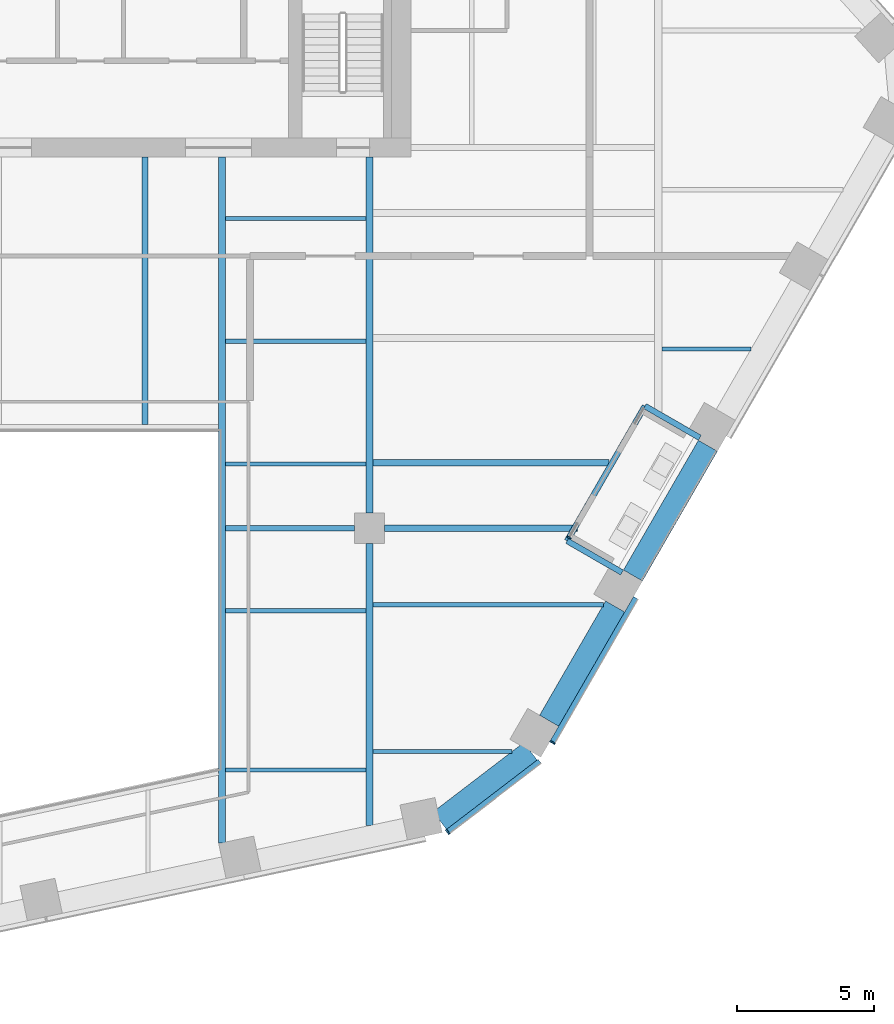
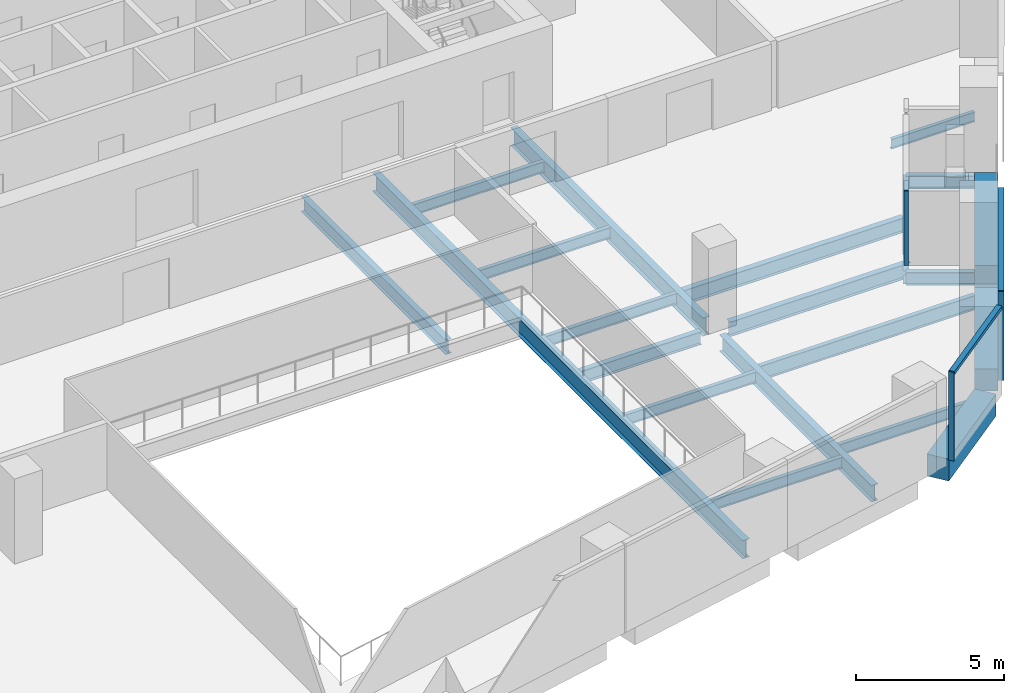
# One storey, part 5 of 25: 21 beams, 5 members, 3 elements without a shape of their own.
"""IFC4 building model written with IfcOpenShell, lengths in metres."""

from ifc_helpers import new_model, si_unit, direction, frame, origin, origin_2d, place, context, subcontext, project, spatial, rectangle, i_section, extrude, material, layer, layer_set, material_profile, profile_set, type_object, element, aggregate, save


model = new_model("IFC4")

# Units and contexts
model_context = context("Model", 3, precision=1e-05, world=origin(), true_north=direction((0.0, 1.0)))
body_context = subcontext(model_context, "Body", "Model", "MODEL_VIEW")
ifc_project = project(units=[si_unit("LENGTHUNIT", "METRE"), si_unit("AREAUNIT", "SQUARE_METRE"), si_unit("VOLUMEUNIT", "CUBIC_METRE"), si_unit("PLANEANGLEUNIT", "RADIAN"), si_unit("MASSUNIT", "GRAM", prefix="KILO")], contexts=[model_context])

# Site, building, storey
site_placement = place(None, origin())
site = spatial("IfcSite", under=ifc_project, at=site_placement, CompositionType="ELEMENT")
building_placement = place(site_placement, origin())
building = spatial("IfcBuilding", under=site, at=building_placement, Name="Isthmus Gate Tower", CompositionType="ELEMENT")
storey_placement = place(building_placement, frame((0.0, 0.0, 174.449951171875)))
storey = spatial("IfcBuildingStorey", under=building, at=storey_placement, Name="L43", CompositionType="ELEMENT", Elevation=174.449951171875)

# Curtain wall, member
ifc_material_1 = material(Name="Aluminium, pale champagne anodised", Category="aluminium")
ifc_layer_1 = layer(ifc_material_1, 0.199951171875)
ifc_layer_set_1 = layer_set([ifc_layer_1], Name="CW-1 UNITISED CURTAIN WALL 200 DEEP")
curtain_wall_type_1 = type_object("IfcCurtainWallType", Name="CW-1 UNITISED CURTAIN WALL 200 DEEP", PredefinedType="NOTDEFINED", material=ifc_layer_set_1)
curtain_wall_1_placement = place(storey_placement, origin())
curtain_wall_1 = element("IfcCurtainWall", 1, at=curtain_wall_1_placement, inside=storey, type_object=curtain_wall_type_1, Name="CW-1 S-SE L43", PredefinedType="NOTDEFINED")
ifc_material_2 = material(Name="Aluminium, pale champagne anodised", Category="aluminium")
ifc_material_profile_1 = material_profile(ifc_material_2, rectangle(XDim=0.06005859375, YDim=0.199951171875, at=origin_2d()), Name="60x200")
ifc_profile_set_1 = profile_set([ifc_material_profile_1], Name="Aluminium, pale champagne anodised")
member_type_1 = type_object("IfcMemberType", Name="CW-1 MULLION 60 X 200", PredefinedType="MULLION", material=ifc_profile_set_1)
member_1_placement = place(storey_placement, frame((16.346435546875, -24.5419921875, 0.0), z_axis=(0.0, 0.0, 1.0), x_axis=(0.794188594387, 0.607671355706, 0.0)))
member_1 = element("IfcMember", 2, at=member_1_placement, type_object=member_type_1, Name="CW-1 mullion", PredefinedType="MULLION", context=body_context, shape_type="SweptSolid", body=[
    extrude(rectangle(XDim=0.06005859375, YDim=0.199951171875, at=origin_2d()), origin(), (0.0, 0.0, 1.0), 3.650146484375),
])

curtain_wall_2_placement = place(storey_placement, origin())
curtain_wall_2 = element("IfcCurtainWall", 3, at=curtain_wall_2_placement, inside=storey, type_object=curtain_wall_type_1, Name="CW-1 SE L43", PredefinedType="NOTDEFINED")
member_2_placement = place(storey_placement, frame((20.156005859375, -21.288818359375, 0.0), z_axis=(0.0, 0.0, 1.0), x_axis=(0.5, 0.866025403784, 0.0)))
member_2 = element("IfcMember", 4, at=member_2_placement, type_object=member_type_1, Name="CW-1 mullion", PredefinedType="MULLION", context=body_context, shape_type="SweptSolid", body=[
    extrude(rectangle(XDim=0.06005859375, YDim=0.199951171875, at=origin_2d()), origin(), (0.0, 0.0, 1.0), 3.650146484375),
])

# Member
ifc_material_3 = material(Name="Aluminium, pale champagne anodised", Category="aluminium")
ifc_material_profile_2 = material_profile(ifc_material_3, rectangle(XDim=0.199951171875, YDim=0.139892578125, at=origin_2d()), Name="200x140")
ifc_profile_set_2 = profile_set([ifc_material_profile_2], Name="Aluminium, pale champagne anodised")
member_type_2 = type_object("IfcMemberType", Name="CW-1 TRANSOM 200 X 140", PredefinedType="USERDEFINED", material=ifc_profile_set_2)
member_3_placement = place(storey_placement, frame((16.3701171875, -24.52392578125, 3.580078125), z_axis=(0.79419705805, 0.607660294066, 0.0), x_axis=(-0.607660294066, 0.79419705805, 0.0)))
member_3 = element("IfcMember", 5, at=member_3_placement, type_object=member_type_2, Name="CW-1 transom", ObjectType="TRANSOM", PredefinedType="USERDEFINED", context=body_context, shape_type="SweptSolid", body=[
    extrude(rectangle(XDim=0.199951171875, YDim=0.139892578125, at=origin_2d()), origin(), (0.0, 0.0, 1.0), 4.181640625),
])

aggregate(curtain_wall_1, [member_1, member_3])

member_4_placement = place(storey_placement, frame((20.171142578125, -21.2626953125, 3.580078125), z_axis=(0.499990697366, 0.866030774596, 0.0), x_axis=(-0.866030774596, 0.499990697366, 0.0)))
member_4 = element("IfcMember", 6, at=member_4_placement, type_object=member_type_2, Name="CW-1 transom", ObjectType="TRANSOM", PredefinedType="USERDEFINED", context=body_context, shape_type="SweptSolid", body=[
    extrude(rectangle(XDim=0.199951171875, YDim=0.139892578125, at=origin_2d()), origin(), (0.0, 0.0, 1.0), 6.0400390625),
])

aggregate(curtain_wall_2, [member_2, member_4])

# Curtain wall, member
ifc_material_4 = material(Name="Aluminium, pale champagne anodised", Category="aluminium")
ifc_layer_2 = layer(ifc_material_4, 0.14990234375)
ifc_layer_set_2 = layer_set([ifc_layer_2], Name="CW-6 LOGGIA BACK WALL GLAZING 150 DEEP")
curtain_wall_type_2 = type_object("IfcCurtainWallType", Name="CW-6 LOGGIA BACK WALL GLAZING 150 DEEP", PredefinedType="NOTDEFINED", material=ifc_layer_set_2)
curtain_wall_3_placement = place(storey_placement, origin())
curtain_wall_3 = element("IfcCurtainWall", 7, at=curtain_wall_3_placement, inside=storey, type_object=curtain_wall_type_2, Name="CW-6 SE L43", PredefinedType="NOTDEFINED")
ifc_material_5 = material(Name="Aluminium, pale champagne anodised", Category="aluminium")
ifc_material_profile_3 = material_profile(ifc_material_5, rectangle(XDim=0.06005859375, YDim=0.14990234375, at=origin_2d()), Name="60x150")
ifc_profile_set_3 = profile_set([ifc_material_profile_3], Name="Aluminium, pale champagne anodised")
member_type_3 = type_object("IfcMemberType", Name="CW-6 MULLION 60 X 150", PredefinedType="MULLION", material=ifc_profile_set_3)
member_5_placement = place(storey_placement, frame((20.759765625, -13.843017578125, 0.0), z_axis=(0.0, 0.0, 1.0), x_axis=(0.5, 0.866025403784, 0.0)))
member_5 = element("IfcMember", 8, at=member_5_placement, type_object=member_type_3, Name="CW-6 mullion", PredefinedType="MULLION", context=body_context, shape_type="SweptSolid", body=[
    extrude(rectangle(XDim=0.06005859375, YDim=0.14990234375, at=origin_2d()), origin(), (0.0, 0.0, 1.0), 3.050048828125),
])
aggregate(curtain_wall_3, [member_5])

# Beams
ifc_material_6 = material(Name="Concrete f'c 60 MPa", Category="concrete")
ifc_material_profile_4 = material_profile(ifc_material_6, rectangle(XDim=0.800048828125, YDim=0.89990234375, at=origin_2d()), Name="RC 800X900")
ifc_profile_set_4 = profile_set([ifc_material_profile_4], Name="Concrete f'c 60 MPa")
beam_type_1 = type_object("IfcBeamType", Name="RC SPANDREL 800 X 900", PredefinedType="SPANDREL", material=ifc_profile_set_4)
beam_1_placement = place(storey_placement, frame((25.80810546875, -10.4990234375, -0.449951171875), z_axis=(-0.500002931134, -0.866023711487, 0.0), x_axis=(0.866023711487, -0.500002931134, 0.0)))
element("IfcBeam", 9, at=beam_1_placement, inside=storey, type_object=beam_type_1, Name="str-spandrel-L43-08", PredefinedType="SPANDREL", context=body_context, shape_type="SweptSolid", body=[
    extrude(rectangle(XDim=0.800048828125, YDim=0.89990234375, at=origin_2d()), origin(), (0.0, 0.0, 1.0), 5.4501953125),
])
beam_2_placement = place(storey_placement, frame((22.43310546875, -16.3447265625, -0.449951171875), z_axis=(-0.500017431331, -0.866015339567, 0.0), x_axis=(0.866015339567, -0.500017431331, 0.0)))
element("IfcBeam", 10, at=beam_2_placement, inside=storey, type_object=beam_type_1, Name="str-spandrel-L43-09", PredefinedType="SPANDREL", context=body_context, shape_type="SweptSolid", body=[
    extrude(rectangle(XDim=0.800048828125, YDim=0.89990234375, at=origin_2d()), origin(), (0.0, 0.0, 1.0), 4.800048828125),
])
beam_3_placement = place(storey_placement, frame((19.354248046875, -21.611083984375, -0.449951171875), z_axis=(-0.794205941875, -0.607648682949, 0.0), x_axis=(0.607648682949, -0.794205941875, 0.0)))
element("IfcBeam", 11, at=beam_3_placement, inside=storey, type_object=beam_type_1, Name="str-spandrel-L43-10", PredefinedType="SPANDREL", context=body_context, shape_type="SweptSolid", body=[
    extrude(rectangle(XDim=0.800048828125, YDim=0.89990234375, at=origin_2d()), origin(), (0.0, 0.0, 1.0), 4.15234375),
])
ifc_material_7 = material(Name="Structural steel ASTM A992 Gr 50", Category="steel")
ifc_material_profile_5 = material_profile(ifc_material_7, i_section(OverallWidth=0.1396484375, OverallDepth=0.4033203125, WebThickness=0.00634765625, FlangeThickness=0.010986328125, at=origin_2d()), Name="W16X31")
ifc_profile_set_5 = profile_set([ifc_material_profile_5], Name="Structural steel ASTM A992 Gr 50")
beam_type_2 = type_object("IfcBeamType", Name="STEEL FLOOR BEAM W16X31", PredefinedType="JOIST", material=ifc_profile_set_5)
beam_4_placement = place(storey_placement, frame((24.13330078125, -6.972900390625, -0.3515625), z_axis=(1.0, 0.0, 0.0), x_axis=(0.0, 1.0, 0.0)))
element("IfcBeam", 12, at=beam_4_placement, inside=storey, type_object=beam_type_2, Name="str-beam-L43-21-00", PredefinedType="JOIST", context=body_context, shape_type="SweptSolid", body=[
    extrude(i_section(OverallWidth=0.1396484375, OverallDepth=0.4033203125, WebThickness=0.00634765625, FlangeThickness=0.010986328125, at=origin_2d()), origin(), (0.0, 0.0, 1.0), 3.248779296875),
])
ifc_material_8 = material(Name="Structural steel ASTM A992 Gr 50", Category="steel")
ifc_material_profile_6 = material_profile(ifc_material_8, i_section(OverallWidth=0.15234375, OverallDepth=0.45068359375, WebThickness=0.0078125, FlangeThickness=0.010986328125, at=origin_2d()), Name="W18X35")
ifc_profile_set_6 = profile_set([ifc_material_profile_6], Name="Structural steel ASTM A992 Gr 50")
beam_type_3 = type_object("IfcBeamType", Name="STEEL FLOOR BEAM W18X35", PredefinedType="JOIST", material=ifc_profile_set_6)
for number, where, z_axis, x_axis, name in (
    (13, (8.263427734375, -22.291015625, -0.375244140625), (1.0, 0.0, 0.0), (0.0, 1.0, 0.0), "str-beam-L43-12-00"),
    (14, (8.263427734375, -16.500244140625, -0.375244140625), (1.0, 0.0, 0.0), (0.0, 1.0, 0.0), "str-beam-L43-12-01"),
):
    element("IfcBeam", number, at=place(storey_placement, frame(where, z_axis=z_axis, x_axis=x_axis)), inside=storey, type_object=beam_type_3, Name=name, PredefinedType="JOIST", context=body_context, shape_type="SweptSolid", body=[
        extrude(i_section(OverallWidth=0.15234375, OverallDepth=0.45068359375, WebThickness=0.0078125, FlangeThickness=0.010986328125, at=origin_2d()), origin(), (0.0, 0.0, 1.0), 5.109619140625),
    ])
for number, where, z_axis, x_axis, name in (
    (15, (8.263427734375, -11.16259765625, -0.375244140625), (1.0, 0.0, 0.0), (0.0, 1.0, 0.0), "str-beam-L43-13-00"),
    (16, (8.263427734375, -6.697509765625, -0.375244140625), (1.0, 0.0, 0.0), (0.0, 1.0, 0.0), "str-beam-L43-13-01"),
    (17, (8.263427734375, -2.232421875, -0.375244140625), (1.0, 0.0, 0.0), (0.0, 1.0, 0.0), "str-beam-L43-13-02"),
):
    element("IfcBeam", number, at=place(storey_placement, frame(where, z_axis=z_axis, x_axis=x_axis)), inside=storey, type_object=beam_type_3, Name=name, PredefinedType="JOIST", context=body_context, shape_type="SweptSolid", body=[
        extrude(i_section(OverallWidth=0.15234375, OverallDepth=0.45068359375, WebThickness=0.0078125, FlangeThickness=0.010986328125, at=origin_2d()), origin(), (0.0, 0.0, 1.0), 5.104736328125),
    ])
beam_5_placement = place(storey_placement, frame((13.626953125, -21.61767578125, -0.375244140625), z_axis=(1.0, 0.0, 0.0), x_axis=(0.0, 1.0, 0.0)))
element("IfcBeam", 18, at=beam_5_placement, inside=storey, type_object=beam_type_3, Name="str-beam-L43-15-00", PredefinedType="JOIST", context=body_context, shape_type="SweptSolid", body=[
    extrude(i_section(OverallWidth=0.15234375, OverallDepth=0.45068359375, WebThickness=0.0078125, FlangeThickness=0.010986328125, at=origin_2d()), origin(), (0.0, 0.0, 1.0), 5.060302734375),
])
ifc_material_9 = material(Name="Structural steel ASTM A992 Gr 50", Category="steel")
ifc_material_profile_7 = material_profile(ifc_material_9, i_section(OverallWidth=0.177734375, OverallDepth=0.60009765625, WebThickness=0.009521484375, FlangeThickness=0.0126953125, at=origin_2d()), Name="W24X55")
ifc_profile_set_7 = profile_set([ifc_material_profile_7], Name="Structural steel ASTM A992 Gr 50")
beam_type_4 = type_object("IfcBeamType", Name="STEEL FLOOR BEAM W24X55", PredefinedType="JOIST", material=ifc_profile_set_7)
beam_6_placement = place(storey_placement, frame((13.626953125, -16.2822265625, -0.449951171875), z_axis=(1.0, 0.0, 0.0), x_axis=(0.0, 1.0, 0.0)))
element("IfcBeam", 19, at=beam_6_placement, inside=storey, type_object=beam_type_4, Name="str-beam-L43-15-01", PredefinedType="JOIST", context=body_context, shape_type="SweptSolid", body=[
    extrude(i_section(OverallWidth=0.177734375, OverallDepth=0.60009765625, WebThickness=0.009521484375, FlangeThickness=0.0126953125, at=origin_2d()), origin(), (0.0, 0.0, 1.0), 8.38037109375),
])
ifc_material_10 = material(Name="Structural steel ASTM A992 Gr 50", Category="steel")
ifc_material_profile_8 = material_profile(ifc_material_10, i_section(OverallWidth=0.228515625, OverallDepth=0.603271484375, WebThickness=0.010986328125, FlangeThickness=0.014404296875, at=origin_2d()), Name="W24X68")
ifc_profile_set_8 = profile_set([ifc_material_profile_8], Name="Structural steel ASTM A992 Gr 50")
beam_type_5 = type_object("IfcBeamType", Name="STEEL FLOOR BEAM W24X68", PredefinedType="JOIST", material=ifc_profile_set_8)
beam_7_placement = place(storey_placement, frame((5.333251953125, -9.7333984375, -0.45166015625), z_axis=(0.0, 1.0, 0.0), x_axis=(-1.0, 0.0, 0.0)))
element("IfcBeam", 20, at=beam_7_placement, inside=storey, type_object=beam_type_5, Name="str-beam-L43-09-02", PredefinedType="JOIST", context=body_context, shape_type="SweptSolid", body=[
    extrude(i_section(OverallWidth=0.228515625, OverallDepth=0.603271484375, WebThickness=0.010986328125, FlangeThickness=0.014404296875, at=origin_2d()), origin(), (0.0, 0.0, 1.0), 9.7333984375),
])
beam_8_placement = place(storey_placement, frame((13.6318359375, -11.115478515625, -0.45166015625), z_axis=(1.0, 0.0, 0.0), x_axis=(0.0, 1.0, 0.0)))
element("IfcBeam", 21, at=beam_8_placement, inside=storey, type_object=beam_type_5, Name="str-beam-L43-16-00", PredefinedType="JOIST", context=body_context, shape_type="SweptSolid", body=[
    extrude(i_section(OverallWidth=0.228515625, OverallDepth=0.603271484375, WebThickness=0.010986328125, FlangeThickness=0.014404296875, at=origin_2d()), origin(), (0.0, 0.0, 1.0), 8.576171875),
])
ifc_material_11 = material(Name="Structural steel ASTM A992 Gr 50", Category="steel")
ifc_material_profile_9 = material_profile(ifc_material_11, i_section(OverallWidth=0.20947265625, OverallDepth=0.533447265625, WebThickness=0.009521484375, FlangeThickness=0.015869140625, at=origin_2d()), Name="W21X62")
ifc_profile_set_9 = profile_set([ifc_material_profile_9], Name="Structural steel ASTM A992 Gr 50")
beam_type_6 = type_object("IfcBeamType", Name="STEEL GIRDER W21X62", PredefinedType="BEAM", material=ifc_profile_set_9)
beam_9_placement = place(storey_placement, frame((8.263427734375, -13.5, -0.416748046875), z_axis=(1.0, 0.0, 0.0), x_axis=(0.0, 1.0, 0.0)))
element("IfcBeam", 22, at=beam_9_placement, inside=storey, type_object=beam_type_6, Name="str-girder-L43-03", PredefinedType="BEAM", context=body_context, shape_type="SweptSolid", body=[
    extrude(i_section(OverallWidth=0.20947265625, OverallDepth=0.533447265625, WebThickness=0.009521484375, FlangeThickness=0.015869140625, at=origin_2d()), origin(), (0.0, 0.0, 1.0), 4.6865234375),
])
ifc_material_12 = material(Name="Structural steel ASTM A992 Gr 50", Category="steel")
ifc_material_profile_10 = material_profile(ifc_material_12, i_section(OverallWidth=0.228515625, OverallDepth=0.603271484375, WebThickness=0.010986328125, FlangeThickness=0.014404296875, at=origin_2d()), Name="W24X68")
ifc_profile_set_10 = profile_set([ifc_material_profile_10], Name="Structural steel ASTM A992 Gr 50")
beam_type_7 = type_object("IfcBeamType", Name="STEEL GIRDER W24X68", PredefinedType="BEAM", material=ifc_profile_set_10)
beam_10_placement = place(storey_placement, frame((14.050048828125, -13.5, -0.45166015625), z_axis=(1.0, 0.0, 0.0), x_axis=(0.0, 1.0, 0.0)))
element("IfcBeam", 23, at=beam_10_placement, inside=storey, type_object=beam_type_7, Name="str-girder-L43-04", PredefinedType="BEAM", context=body_context, shape_type="SweptSolid", body=[
    extrude(i_section(OverallWidth=0.228515625, OverallDepth=0.603271484375, WebThickness=0.010986328125, FlangeThickness=0.014404296875, at=origin_2d()), origin(), (0.0, 0.0, 1.0), 7.023193359375),
])
ifc_material_13 = material(Name="Structural steel ASTM A992 Gr 50", Category="steel")
ifc_material_profile_11 = material_profile(ifc_material_13, i_section(OverallWidth=0.25390625, OverallDepth=0.679443359375, WebThickness=0.010986328125, FlangeThickness=0.015869140625, at=origin_2d()), Name="W27X84")
ifc_profile_set_11 = profile_set([ifc_material_profile_11], Name="Structural steel ASTM A992 Gr 50")
beam_type_8 = type_object("IfcBeamType", Name="STEEL GIRDER W27X84", PredefinedType="BEAM", material=ifc_profile_set_11)
beam_11_placement = place(storey_placement, frame((13.5, -24.3125, -0.48974609375), z_axis=(0.0, 1.0, 0.0), x_axis=(-1.0, 0.0, 0.0)))
element("IfcBeam", 24, at=beam_11_placement, inside=storey, type_object=beam_type_8, Name="str-girder-L43-09", PredefinedType="BEAM", context=body_context, shape_type="SweptSolid", body=[
    extrude(i_section(OverallWidth=0.25390625, OverallDepth=0.679443359375, WebThickness=0.010986328125, FlangeThickness=0.015869140625, at=origin_2d()), origin(), (0.0, 0.0, 1.0), 10.262451171875),
])
ifc_material_14 = material(Name="Structural steel ASTM A992 Gr 50", Category="steel")
ifc_material_profile_12 = material_profile(ifc_material_14, i_section(OverallWidth=0.263427734375, OverallDepth=0.749267578125, WebThickness=0.0126953125, FlangeThickness=0.015869140625, at=origin_2d()), Name="W30X90")
ifc_profile_set_12 = profile_set([ifc_material_profile_12], Name="Structural steel ASTM A992 Gr 50")
beam_type_9 = type_object("IfcBeamType", Name="STEEL GIRDER W30X90", PredefinedType="BEAM", material=ifc_profile_set_12)
beam_12_placement = place(storey_placement, frame((13.5, -12.949951171875, -0.524658203125), z_axis=(0.0, 1.0, 0.0), x_axis=(-1.0, 0.0, 0.0)))
element("IfcBeam", 25, at=beam_12_placement, inside=storey, type_object=beam_type_9, Name="str-girder-L43-10", PredefinedType="BEAM", context=body_context, shape_type="SweptSolid", body=[
    extrude(i_section(OverallWidth=0.263427734375, OverallDepth=0.749267578125, WebThickness=0.0126953125, FlangeThickness=0.015869140625, at=origin_2d()), origin(), (0.0, 0.0, 1.0), 12.949951171875),
])
ifc_material_15 = material(Name="Structural steel ASTM A992 Gr 50", Category="steel")
ifc_material_profile_13 = material_profile(ifc_material_15, i_section(OverallWidth=0.20947265625, OverallDepth=0.533447265625, WebThickness=0.009521484375, FlangeThickness=0.015869140625, at=origin_2d()), Name="W21X62")
ifc_profile_set_13 = profile_set([ifc_material_profile_13], Name="Structural steel ASTM A992 Gr 50")
beam_type_10 = type_object("IfcBeamType", Name="STEEL TRIMMER W21X62", PredefinedType="BEAM", material=ifc_profile_set_13)
beam_13_placement = place(storey_placement, frame((20.688232421875, -13.957275390625, -0.416748046875), z_axis=(0.500003752798, 0.866023237095, 0.0), x_axis=(-0.866023237095, 0.500003752798, 0.0)))
element("IfcBeam", 26, at=beam_13_placement, inside=storey, type_object=beam_type_10, Name="str-loggiatrim-L43-04-B", PredefinedType="BEAM", context=body_context, shape_type="SweptSolid", body=[
    extrude(i_section(OverallWidth=0.20947265625, OverallDepth=0.533447265625, WebThickness=0.009521484375, FlangeThickness=0.015869140625, at=origin_2d()), origin(), (0.0, 0.0, 1.0), 5.65966796875),
])
for number, where, z_axis, x_axis, name in (
    (27, (22.684326171875, -15.109619140625, -0.416748046875), (-0.866044474677, 0.49996696679, 0.0), (-0.49996696679, -0.866044474677, 0.0), "str-loggiatrim-L43-04-A"),
    (28, (25.51416015625, -10.208251953125, -0.416748046875), (-0.866044474677, 0.49996696679, 0.0), (-0.49996696679, -0.866044474677, 0.0), "str-loggiatrim-L43-04-C"),
):
    element("IfcBeam", number, at=place(storey_placement, frame(where, z_axis=z_axis, x_axis=x_axis)), inside=storey, type_object=beam_type_10, Name=name, PredefinedType="BEAM", context=body_context, shape_type="SweptSolid", body=[
        extrude(i_section(OverallWidth=0.20947265625, OverallDepth=0.533447265625, WebThickness=0.009521484375, FlangeThickness=0.015869140625, at=origin_2d()), origin(), (0.0, 0.0, 1.0), 2.304931640625),
    ])
ifc_material_16 = material(Name="Structural steel ASTM A992 Gr 50", Category="steel")
ifc_material_profile_14 = material_profile(ifc_material_16, i_section(OverallWidth=0.263427734375, OverallDepth=0.749267578125, WebThickness=0.0126953125, FlangeThickness=0.015869140625, at=origin_2d()), Name="W30X90")
ifc_profile_set_14 = profile_set([ifc_material_profile_14], Name="Structural steel ASTM A992 Gr 50")
beam_type_11 = type_object("IfcBeamType", Name="STEEL TRIMMER W30X90", PredefinedType="BEAM", material=ifc_profile_set_14)
beam_14_placement = place(storey_placement, frame((8.1318359375, -24.9423828125, -0.524658203125), z_axis=(0.0, 1.0, 0.0), x_axis=(-1.0, 0.0, 0.0)))
element("IfcBeam", 29, at=beam_14_placement, inside=storey, type_object=beam_type_11, Name="str-trimmer-L43-01", PredefinedType="BEAM", context=body_context, shape_type="SweptSolid", body=[
    extrude(i_section(OverallWidth=0.263427734375, OverallDepth=0.749267578125, WebThickness=0.0126953125, FlangeThickness=0.015869140625, at=origin_2d()), origin(), (0.0, 0.0, 1.0), 24.9423828125),
])

save(model, "model.ifc")
